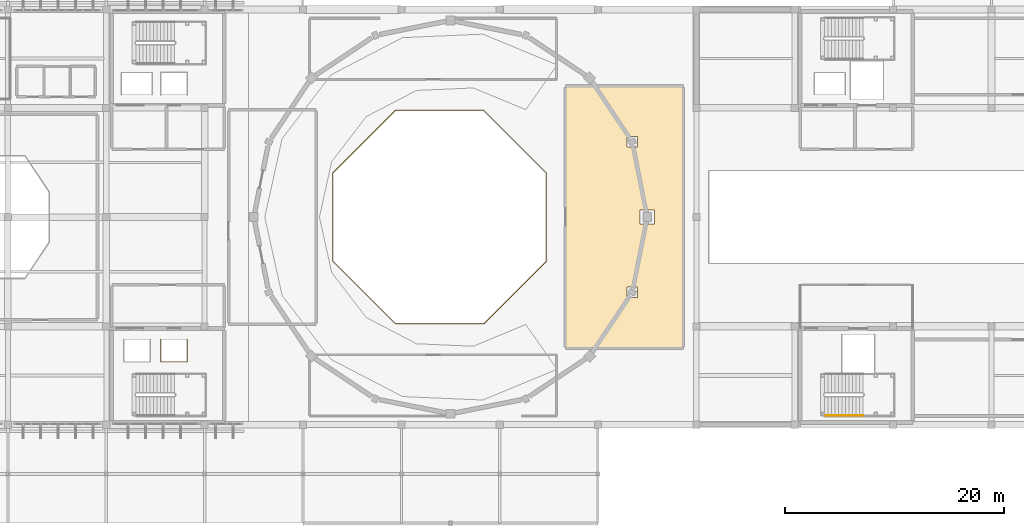
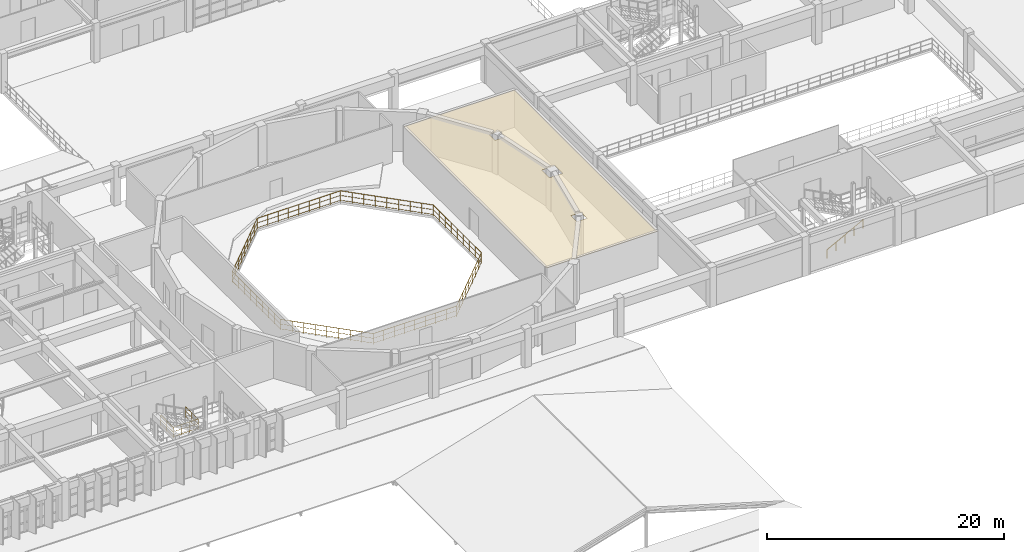
# One storey, part 76 of 80: 3 railings, 1 covering.
"""IFC4 building model written with IfcOpenShell, lengths in metres."""

from ifc_helpers import new_model, si_unit, direction, frame, origin, origin_2d, place, context, subcontext, project, spatial, polyline, circle, outline, extrude, material, layer, layer_set, type_object, element, save


model = new_model("IFC4")

# Units and contexts
model_context = context("Model", 3, precision=1e-05, world=origin(), true_north=direction((0.0, 1.0)))
body_context = subcontext(model_context, "Body", "Model", "MODEL_VIEW")
ifc_project = project(units=[si_unit("LENGTHUNIT", "METRE"), si_unit("AREAUNIT", "SQUARE_METRE"), si_unit("VOLUMEUNIT", "CUBIC_METRE"), si_unit("PLANEANGLEUNIT", "RADIAN"), si_unit("MASSUNIT", "GRAM", prefix="KILO")], contexts=[model_context])

# Site, building, storey
site_placement = place(None, origin())
site = spatial("IfcSite", under=ifc_project, at=site_placement, CompositionType="ELEMENT")
building_placement = place(site_placement, origin())
building = spatial("IfcBuilding", under=site, at=building_placement, Name="Miravela Opera House", CompositionType="ELEMENT")
storey_placement = place(building_placement, frame((0.0, 0.0, 17.679931640625)))
storey = spatial("IfcBuildingStorey", under=building, at=storey_placement, Name="L04", CompositionType="ELEMENT", Elevation=17.679931640625)

# Covering
ifc_material_1 = material(Name="Perforated hardwood acoustic reflector ceiling", Category="wood")
ifc_layer = layer(ifc_material_1, 0.031982421875)
ifc_layer_set = layer_set([ifc_layer])
covering_type = type_object("IfcCoveringType", Name="ARC-CEIL-ACOUSTIC-32", PredefinedType="CEILING", material=ifc_layer_set)
covering_placement = place(storey_placement, frame((0.0, 0.0, 3.719970703125)))
element("IfcCovering", 1, at=covering_placement, inside=storey, type_object=covering_type, Name="Opera Auditorium Amphitheatre Gallery Acoustic Ceiling", PredefinedType="CEILING", context=body_context, shape_type="SweptSolid", body=[
    extrude(outline(polyline([(87.0, 44.0), (97.800048828125, 44.0), (97.800048828125, 68.0), (87.0, 68.0), (87.0, 44.0)]), holes=[polyline([(93.854248046875, 55.354248046875), (95.145751953125, 55.354248046875), (95.145751953125, 56.645751953125), (93.854248046875, 56.645751953125), (93.854248046875, 55.354248046875)]), polyline([(92.639892578125, 62.398193359375), (93.619873046875, 62.398193359375), (93.619873046875, 63.37841796875), (92.639892578125, 63.37841796875), (92.639892578125, 62.398193359375)]), polyline([(92.639892578125, 48.62158203125), (93.619873046875, 48.62158203125), (93.619873046875, 49.601806640625), (92.639892578125, 49.601806640625), (92.639892578125, 48.62158203125)])]), origin(), (0.0, 0.0, 1.0), 0.031982421875),
])

# Railings
ifc_material_2 = material(Name="Gilded bronze auditorium tier balustrade")
railing_type_1 = type_object("IfcRailingType", Name="ARC-RAIL-BOWL-BAL", PredefinedType="BALUSTRADE", material=ifc_material_2)
railing_1_placement = place(storey_placement, frame((85.274658203125, 60.048828125, 0.0)))
element("IfcRailing", 2, at=railing_1_placement, inside=storey, type_object=railing_type_1, Name="L04 Void Perimeter Balustrade 0168", PredefinedType="BALUSTRADE", context=body_context, shape_type="SweptSolid", body=[
    extrude(circle(Radius=0.02490234375, at=origin_2d()), frame((0.0, 0.0, 1.09521484375), z_axis=(-0.707106781187, 0.707106781187, 0.0), x_axis=(-0.707106781187, -0.707106781187, 0.0)), (0.0, 0.0, 1.0), 8.09765625),
    extrude(circle(Radius=0.01611328125, at=origin_2d()), frame((0.0, 0.0, 0.615966796875), z_axis=(-0.707106781187, 0.707106781187, 0.0), x_axis=(-0.707106781187, -0.707106781187, 0.0)), (0.0, 0.0, 1.0), 8.09765625),
    extrude(circle(Radius=0.01611328125, at=origin_2d()), frame((0.0, 0.0, 0.1201171875), z_axis=(-0.707106781187, 0.707106781187, 0.0), x_axis=(-0.707106781187, -0.707106781187, 0.0)), (0.0, 0.0, 1.0), 8.09765625),
    extrude(circle(Radius=0.02490234375, at=origin_2d()), frame((-5.725830078125, 5.725830078125, 1.09521484375), z_axis=(-1.0, 0.0, 0.0), x_axis=(0.0, -1.0, 0.0)), (0.0, 0.0, 1.0), 8.09765625),
    extrude(circle(Radius=0.01611328125, at=origin_2d()), frame((-5.725830078125, 5.725830078125, 0.615966796875), z_axis=(-1.0, 0.0, 0.0), x_axis=(0.0, -1.0, 0.0)), (0.0, 0.0, 1.0), 8.09765625),
    extrude(circle(Radius=0.01611328125, at=origin_2d()), frame((-5.725830078125, 5.725830078125, 0.1201171875), z_axis=(-1.0, 0.0, 0.0), x_axis=(0.0, -1.0, 0.0)), (0.0, 0.0, 1.0), 8.09765625),
    extrude(circle(Radius=0.02490234375, at=origin_2d()), frame((-13.823486328125, 5.725830078125, 1.09521484375), z_axis=(-0.707106781187, -0.707106781187, 0.0), x_axis=(0.707106781187, -0.707106781187, 0.0)), (0.0, 0.0, 1.0), 8.09765625),
    extrude(circle(Radius=0.01611328125, at=origin_2d()), frame((-13.823486328125, 5.725830078125, 0.615966796875), z_axis=(-0.707106781187, -0.707106781187, 0.0), x_axis=(0.707106781187, -0.707106781187, 0.0)), (0.0, 0.0, 1.0), 8.09765625),
    extrude(circle(Radius=0.01611328125, at=origin_2d()), frame((-13.823486328125, 5.725830078125, 0.1201171875), z_axis=(-0.707106781187, -0.707106781187, 0.0), x_axis=(0.707106781187, -0.707106781187, 0.0)), (0.0, 0.0, 1.0), 8.09765625),
    extrude(circle(Radius=0.02490234375, at=origin_2d()), frame((-19.54931640625, 0.0, 1.09521484375), z_axis=(0.0, -1.0, 0.0), x_axis=(1.0, 0.0, 0.0)), (0.0, 0.0, 1.0), 8.09765625),
    extrude(circle(Radius=0.01611328125, at=origin_2d()), frame((-19.54931640625, 0.0, 0.615966796875), z_axis=(0.0, -1.0, 0.0), x_axis=(1.0, 0.0, 0.0)), (0.0, 0.0, 1.0), 8.09765625),
    extrude(circle(Radius=0.01611328125, at=origin_2d()), frame((-19.54931640625, 0.0, 0.1201171875), z_axis=(0.0, -1.0, 0.0), x_axis=(1.0, 0.0, 0.0)), (0.0, 0.0, 1.0), 8.09765625),
    extrude(circle(Radius=0.02490234375, at=origin_2d()), frame((-19.54931640625, -8.09765625, 1.09521484375), z_axis=(0.707106781187, -0.707106781187, 0.0), x_axis=(0.707106781187, 0.707106781187, 0.0)), (0.0, 0.0, 1.0), 8.09765625),
    extrude(circle(Radius=0.01611328125, at=origin_2d()), frame((-19.54931640625, -8.09765625, 0.615966796875), z_axis=(0.707106781187, -0.707106781187, 0.0), x_axis=(0.707106781187, 0.707106781187, 0.0)), (0.0, 0.0, 1.0), 8.09765625),
    extrude(circle(Radius=0.01611328125, at=origin_2d()), frame((-19.54931640625, -8.09765625, 0.1201171875), z_axis=(0.707106781187, -0.707106781187, 0.0), x_axis=(0.707106781187, 0.707106781187, 0.0)), (0.0, 0.0, 1.0), 8.09765625),
    extrude(circle(Radius=0.02490234375, at=origin_2d()), frame((-13.823486328125, -13.823486328125, 1.09521484375), z_axis=(1.0, 0.0, 0.0), x_axis=(0.0, 1.0, 0.0)), (0.0, 0.0, 1.0), 8.09765625),
    extrude(circle(Radius=0.01611328125, at=origin_2d()), frame((-13.823486328125, -13.823486328125, 0.615966796875), z_axis=(1.0, 0.0, 0.0), x_axis=(0.0, 1.0, 0.0)), (0.0, 0.0, 1.0), 8.09765625),
    extrude(circle(Radius=0.01611328125, at=origin_2d()), frame((-13.823486328125, -13.823486328125, 0.1201171875), z_axis=(1.0, 0.0, 0.0), x_axis=(0.0, 1.0, 0.0)), (0.0, 0.0, 1.0), 8.09765625),
    extrude(circle(Radius=0.02490234375, at=origin_2d()), frame((-5.725830078125, -13.823486328125, 1.09521484375), z_axis=(0.707106781187, 0.707106781187, 0.0), x_axis=(-0.707106781187, 0.707106781187, 0.0)), (0.0, 0.0, 1.0), 8.09765625),
    extrude(circle(Radius=0.01611328125, at=origin_2d()), frame((-5.725830078125, -13.823486328125, 0.615966796875), z_axis=(0.707106781187, 0.707106781187, 0.0), x_axis=(-0.707106781187, 0.707106781187, 0.0)), (0.0, 0.0, 1.0), 8.09765625),
    extrude(circle(Radius=0.01611328125, at=origin_2d()), frame((-5.725830078125, -13.823486328125, 0.1201171875), z_axis=(0.707106781187, 0.707106781187, 0.0), x_axis=(-0.707106781187, 0.707106781187, 0.0)), (0.0, 0.0, 1.0), 8.09765625),
    extrude(circle(Radius=0.02490234375, at=origin_2d()), frame((0.0, -8.09765625, 1.09521484375), z_axis=(0.0, 1.0, 0.0), x_axis=(-1.0, 0.0, 0.0)), (0.0, 0.0, 1.0), 8.09765625),
    extrude(circle(Radius=0.01611328125, at=origin_2d()), frame((0.0, -8.09765625, 0.615966796875), z_axis=(0.0, 1.0, 0.0), x_axis=(-1.0, 0.0, 0.0)), (0.0, 0.0, 1.0), 8.09765625),
    extrude(circle(Radius=0.01611328125, at=origin_2d()), frame((0.0, -8.09765625, 0.1201171875), z_axis=(0.0, 1.0, 0.0), x_axis=(-1.0, 0.0, 0.0)), (0.0, 0.0, 1.0), 8.09765625),
    extrude(circle(Radius=0.02099609375, at=origin_2d()), origin(), (0.0, 0.0, 1.0), 1.070068359375),
    extrude(circle(Radius=0.02099609375, at=origin_2d()), frame((-0.7158203125, 0.7158203125, 0.0)), (0.0, 0.0, 1.0), 1.070068359375),
    extrude(circle(Radius=0.02099609375, at=origin_2d()), frame((-1.431396484375, 1.431396484375, 0.0)), (0.0, 0.0, 1.0), 1.070068359375),
    extrude(circle(Radius=0.02099609375, at=origin_2d()), frame((-2.147216796875, 2.147216796875, 0.0)), (0.0, 0.0, 1.0), 1.070068359375),
    extrude(circle(Radius=0.02099609375, at=origin_2d()), frame((-2.86279296875, 2.86279296875, 0.0)), (0.0, 0.0, 1.0), 1.070068359375),
    extrude(circle(Radius=0.02099609375, at=origin_2d()), frame((-3.57861328125, 3.57861328125, 0.0)), (0.0, 0.0, 1.0), 1.070068359375),
    extrude(circle(Radius=0.02099609375, at=origin_2d()), frame((-4.29443359375, 4.29443359375, 0.0)), (0.0, 0.0, 1.0), 1.070068359375),
    extrude(circle(Radius=0.02099609375, at=origin_2d()), frame((-5.010009765625, 5.010009765625, 0.0)), (0.0, 0.0, 1.0), 1.070068359375),
    extrude(circle(Radius=0.02099609375, at=origin_2d()), frame((-5.725830078125, 5.725830078125, 0.0)), (0.0, 0.0, 1.0), 1.070068359375),
    extrude(circle(Radius=0.02099609375, at=origin_2d()), frame((-6.738037109375, 5.725830078125, 0.0)), (0.0, 0.0, 1.0), 1.070068359375),
    extrude(circle(Radius=0.02099609375, at=origin_2d()), frame((-7.750244140625, 5.725830078125, 0.0)), (0.0, 0.0, 1.0), 1.070068359375),
    extrude(circle(Radius=0.02099609375, at=origin_2d()), frame((-8.762451171875, 5.725830078125, 0.0)), (0.0, 0.0, 1.0), 1.070068359375),
    extrude(circle(Radius=0.02099609375, at=origin_2d()), frame((-9.774658203125, 5.725830078125, 0.0)), (0.0, 0.0, 1.0), 1.070068359375),
    extrude(circle(Radius=0.02099609375, at=origin_2d()), frame((-10.786865234375, 5.725830078125, 0.0)), (0.0, 0.0, 1.0), 1.070068359375),
    extrude(circle(Radius=0.02099609375, at=origin_2d()), frame((-11.799072265625, 5.725830078125, 0.0)), (0.0, 0.0, 1.0), 1.070068359375),
    extrude(circle(Radius=0.02099609375, at=origin_2d()), frame((-12.811279296875, 5.725830078125, 0.0)), (0.0, 0.0, 1.0), 1.070068359375),
    extrude(circle(Radius=0.02099609375, at=origin_2d()), frame((-13.823486328125, 5.725830078125, 0.0)), (0.0, 0.0, 1.0), 1.070068359375),
    extrude(circle(Radius=0.02099609375, at=origin_2d()), frame((-14.539306640625, 5.010009765625, 0.0)), (0.0, 0.0, 1.0), 1.070068359375),
    extrude(circle(Radius=0.02099609375, at=origin_2d()), frame((-15.2548828125, 4.29443359375, 0.0)), (0.0, 0.0, 1.0), 1.070068359375),
    extrude(circle(Radius=0.02099609375, at=origin_2d()), frame((-15.970703125, 3.57861328125, 0.0)), (0.0, 0.0, 1.0), 1.070068359375),
    extrude(circle(Radius=0.02099609375, at=origin_2d()), frame((-16.6865234375, 2.86279296875, 0.0)), (0.0, 0.0, 1.0), 1.070068359375),
    extrude(circle(Radius=0.02099609375, at=origin_2d()), frame((-17.402099609375, 2.147216796875, 0.0)), (0.0, 0.0, 1.0), 1.070068359375),
    extrude(circle(Radius=0.02099609375, at=origin_2d()), frame((-18.117919921875, 1.431396484375, 0.0)), (0.0, 0.0, 1.0), 1.070068359375),
    extrude(circle(Radius=0.02099609375, at=origin_2d()), frame((-18.83349609375, 0.7158203125, 0.0)), (0.0, 0.0, 1.0), 1.070068359375),
    extrude(circle(Radius=0.02099609375, at=origin_2d()), frame((-19.54931640625, 0.0, 0.0)), (0.0, 0.0, 1.0), 1.070068359375),
    extrude(circle(Radius=0.02099609375, at=origin_2d()), frame((-19.54931640625, -1.01220703125, 0.0)), (0.0, 0.0, 1.0), 1.070068359375),
    extrude(circle(Radius=0.02099609375, at=origin_2d()), frame((-19.54931640625, -2.0244140625, 0.0)), (0.0, 0.0, 1.0), 1.070068359375),
    extrude(circle(Radius=0.02099609375, at=origin_2d()), frame((-19.54931640625, -3.03662109375, 0.0)), (0.0, 0.0, 1.0), 1.070068359375),
    extrude(circle(Radius=0.02099609375, at=origin_2d()), frame((-19.54931640625, -4.048828125, 0.0)), (0.0, 0.0, 1.0), 1.070068359375),
    extrude(circle(Radius=0.02099609375, at=origin_2d()), frame((-19.54931640625, -5.06103515625, 0.0)), (0.0, 0.0, 1.0), 1.070068359375),
    extrude(circle(Radius=0.02099609375, at=origin_2d()), frame((-19.54931640625, -6.0732421875, 0.0)), (0.0, 0.0, 1.0), 1.070068359375),
    extrude(circle(Radius=0.02099609375, at=origin_2d()), frame((-19.54931640625, -7.08544921875, 0.0)), (0.0, 0.0, 1.0), 1.070068359375),
    extrude(circle(Radius=0.02099609375, at=origin_2d()), frame((-19.54931640625, -8.09765625, 0.0)), (0.0, 0.0, 1.0), 1.070068359375),
    extrude(circle(Radius=0.02099609375, at=origin_2d()), frame((-18.83349609375, -8.8134765625, 0.0)), (0.0, 0.0, 1.0), 1.070068359375),
    extrude(circle(Radius=0.02099609375, at=origin_2d()), frame((-18.117919921875, -9.529052734375, 0.0)), (0.0, 0.0, 1.0), 1.070068359375),
    extrude(circle(Radius=0.02099609375, at=origin_2d()), frame((-17.402099609375, -10.244873046875, 0.0)), (0.0, 0.0, 1.0), 1.070068359375),
    extrude(circle(Radius=0.02099609375, at=origin_2d()), frame((-16.6865234375, -10.96044921875, 0.0)), (0.0, 0.0, 1.0), 1.070068359375),
    extrude(circle(Radius=0.02099609375, at=origin_2d()), frame((-15.970703125, -11.67626953125, 0.0)), (0.0, 0.0, 1.0), 1.070068359375),
    extrude(circle(Radius=0.02099609375, at=origin_2d()), frame((-15.2548828125, -12.39208984375, 0.0)), (0.0, 0.0, 1.0), 1.070068359375),
    extrude(circle(Radius=0.02099609375, at=origin_2d()), frame((-14.539306640625, -13.107666015625, 0.0)), (0.0, 0.0, 1.0), 1.070068359375),
    extrude(circle(Radius=0.02099609375, at=origin_2d()), frame((-13.823486328125, -13.823486328125, 0.0)), (0.0, 0.0, 1.0), 1.070068359375),
    extrude(circle(Radius=0.02099609375, at=origin_2d()), frame((-12.811279296875, -13.823486328125, 0.0)), (0.0, 0.0, 1.0), 1.070068359375),
    extrude(circle(Radius=0.02099609375, at=origin_2d()), frame((-11.799072265625, -13.823486328125, 0.0)), (0.0, 0.0, 1.0), 1.070068359375),
    extrude(circle(Radius=0.02099609375, at=origin_2d()), frame((-10.786865234375, -13.823486328125, 0.0)), (0.0, 0.0, 1.0), 1.070068359375),
    extrude(circle(Radius=0.02099609375, at=origin_2d()), frame((-9.774658203125, -13.823486328125, 0.0)), (0.0, 0.0, 1.0), 1.070068359375),
    extrude(circle(Radius=0.02099609375, at=origin_2d()), frame((-8.762451171875, -13.823486328125, 0.0)), (0.0, 0.0, 1.0), 1.070068359375),
    extrude(circle(Radius=0.02099609375, at=origin_2d()), frame((-7.750244140625, -13.823486328125, 0.0)), (0.0, 0.0, 1.0), 1.070068359375),
    extrude(circle(Radius=0.02099609375, at=origin_2d()), frame((-6.738037109375, -13.823486328125, 0.0)), (0.0, 0.0, 1.0), 1.070068359375),
    extrude(circle(Radius=0.02099609375, at=origin_2d()), frame((-5.725830078125, -13.823486328125, 0.0)), (0.0, 0.0, 1.0), 1.070068359375),
    extrude(circle(Radius=0.02099609375, at=origin_2d()), frame((-5.010009765625, -13.107666015625, 0.0)), (0.0, 0.0, 1.0), 1.070068359375),
    extrude(circle(Radius=0.02099609375, at=origin_2d()), frame((-4.29443359375, -12.39208984375, 0.0)), (0.0, 0.0, 1.0), 1.070068359375),
    extrude(circle(Radius=0.02099609375, at=origin_2d()), frame((-3.57861328125, -11.67626953125, 0.0)), (0.0, 0.0, 1.0), 1.070068359375),
    extrude(circle(Radius=0.02099609375, at=origin_2d()), frame((-2.86279296875, -10.96044921875, 0.0)), (0.0, 0.0, 1.0), 1.070068359375),
    extrude(circle(Radius=0.02099609375, at=origin_2d()), frame((-2.147216796875, -10.244873046875, 0.0)), (0.0, 0.0, 1.0), 1.070068359375),
    extrude(circle(Radius=0.02099609375, at=origin_2d()), frame((-1.431396484375, -9.529052734375, 0.0)), (0.0, 0.0, 1.0), 1.070068359375),
    extrude(circle(Radius=0.02099609375, at=origin_2d()), frame((-0.7158203125, -8.8134765625, 0.0)), (0.0, 0.0, 1.0), 1.070068359375),
    extrude(circle(Radius=0.02099609375, at=origin_2d()), frame((0.0, -8.09765625, 0.0)), (0.0, 0.0, 1.0), 1.070068359375),
    extrude(circle(Radius=0.02099609375, at=origin_2d()), frame((0.0, -7.08544921875, 0.0)), (0.0, 0.0, 1.0), 1.070068359375),
    extrude(circle(Radius=0.02099609375, at=origin_2d()), frame((0.0, -6.0732421875, 0.0)), (0.0, 0.0, 1.0), 1.070068359375),
    extrude(circle(Radius=0.02099609375, at=origin_2d()), frame((0.0, -5.06103515625, 0.0)), (0.0, 0.0, 1.0), 1.070068359375),
    extrude(circle(Radius=0.02099609375, at=origin_2d()), frame((0.0, -4.048828125, 0.0)), (0.0, 0.0, 1.0), 1.070068359375),
    extrude(circle(Radius=0.02099609375, at=origin_2d()), frame((0.0, -3.03662109375, 0.0)), (0.0, 0.0, 1.0), 1.070068359375),
    extrude(circle(Radius=0.02099609375, at=origin_2d()), frame((0.0, -2.0244140625, 0.0)), (0.0, 0.0, 1.0), 1.070068359375),
    extrude(circle(Radius=0.02099609375, at=origin_2d()), frame((0.0, -1.01220703125, 0.0)), (0.0, 0.0, 1.0), 1.070068359375),
])
ifc_material_3 = material(Name="Brushed bronze continuous stair handrail")
railing_type_2 = type_object("IfcRailingType", Name="ARC-RAIL-HAND-900", PredefinedType="HANDRAIL", material=ifc_material_3)
railing_2_placement = place(storey_placement, frame((110.739990234375, 37.85009765625, 0.170166015625)))
element("IfcRailing", 3, at=railing_2_placement, inside=storey, type_object=railing_type_2, Name="L04 ST-04 stair handrail 1", PredefinedType="HANDRAIL", context=body_context, shape_type="SweptSolid", body=[
    extrude(circle(Radius=0.02392578125, at=origin_2d()), frame((0.0, 0.0, 0.8759765625), z_axis=(0.883129994055, 0.0, 0.469128355144), x_axis=(0.0, 1.0, 0.0)), (0.0, 0.0, 1.0), 3.98583984375),
    extrude(circle(Radius=0.02099609375, at=origin_2d()), origin(), (0.0, 0.0, 1.0), 0.851806640625),
    extrude(circle(Radius=0.02099609375, at=origin_2d()), frame((0.8798828125, 0.0, 0.467529296875)), (0.0, 0.0, 1.0), 0.851806640625),
    extrude(circle(Radius=0.02099609375, at=origin_2d()), frame((1.760009765625, 0.0, 0.93505859375)), (0.0, 0.0, 1.0), 0.851806640625),
    extrude(circle(Radius=0.02099609375, at=origin_2d()), frame((2.64013671875, 0.0, 1.40234375)), (0.0, 0.0, 1.0), 0.851806640625),
    extrude(circle(Radius=0.02099609375, at=origin_2d()), frame((3.52001953125, 0.0, 1.869873046875)), (0.0, 0.0, 1.0), 0.851806640625),
])
ifc_material_4 = material(Name="Painted wrought-iron stair guardrail")
railing_type_3 = type_object("IfcRailingType", Name="ARC-RAIL-STAIR-GUARD", PredefinedType="GUARDRAIL", material=ifc_material_4)
railing_3_placement = place(storey_placement, frame((49.989990234375, 44.840087890625, 0.0)))
element("IfcRailing", 4, at=railing_3_placement, inside=storey, type_object=railing_type_3, Name="Lift PL-03 Hoistway Slab Opening Guard (L04) 0115", PredefinedType="GUARDRAIL", context=body_context, shape_type="SweptSolid", body=[
    extrude(circle(Radius=0.02392578125, at=origin_2d()), frame((0.0, 0.0, 1.076171875), z_axis=(0.0, -1.0, 0.0), x_axis=(1.0, 0.0, 0.0)), (0.0, 0.0, 1.0), 2.0751953125),
    extrude(circle(Radius=0.01611328125, at=origin_2d()), frame((0.0, 0.0, 0.60498046875), z_axis=(0.0, -1.0, 0.0), x_axis=(1.0, 0.0, 0.0)), (0.0, 0.0, 1.0), 2.0751953125),
    extrude(circle(Radius=0.01611328125, at=origin_2d()), frame((0.0, 0.0, 0.1201171875), z_axis=(0.0, -1.0, 0.0), x_axis=(1.0, 0.0, 0.0)), (0.0, 0.0, 1.0), 2.0751953125),
    extrude(circle(Radius=0.02392578125, at=origin_2d()), frame((0.0, -2.0751953125, 1.076171875), z_axis=(1.0, 0.0, 0.0), x_axis=(0.0, 1.0, 0.0)), (0.0, 0.0, 1.0), 2.419921875),
    extrude(circle(Radius=0.01611328125, at=origin_2d()), frame((0.0, -2.0751953125, 0.60498046875), z_axis=(1.0, 0.0, 0.0), x_axis=(0.0, 1.0, 0.0)), (0.0, 0.0, 1.0), 2.419921875),
    extrude(circle(Radius=0.01611328125, at=origin_2d()), frame((0.0, -2.0751953125, 0.1201171875), z_axis=(1.0, 0.0, 0.0), x_axis=(0.0, 1.0, 0.0)), (0.0, 0.0, 1.0), 2.419921875),
    extrude(circle(Radius=0.02392578125, at=origin_2d()), frame((2.419921875, -2.0751953125, 1.076171875), z_axis=(0.0, 1.0, 0.0), x_axis=(-1.0, 0.0, 0.0)), (0.0, 0.0, 1.0), 2.0751953125),
    extrude(circle(Radius=0.01611328125, at=origin_2d()), frame((2.419921875, -2.0751953125, 0.60498046875), z_axis=(0.0, 1.0, 0.0), x_axis=(-1.0, 0.0, 0.0)), (0.0, 0.0, 1.0), 2.0751953125),
    extrude(circle(Radius=0.01611328125, at=origin_2d()), frame((2.419921875, -2.0751953125, 0.1201171875), z_axis=(0.0, 1.0, 0.0), x_axis=(-1.0, 0.0, 0.0)), (0.0, 0.0, 1.0), 2.0751953125),
    extrude(circle(Radius=0.02099609375, at=origin_2d()), origin(), (0.0, 0.0, 1.0), 1.052001953125),
    extrude(circle(Radius=0.02099609375, at=origin_2d()), frame((0.0, -1.03759765625, 0.0)), (0.0, 0.0, 1.0), 1.052001953125),
    extrude(circle(Radius=0.02099609375, at=origin_2d()), frame((0.0, -2.0751953125, 0.0)), (0.0, 0.0, 1.0), 1.052001953125),
    extrude(circle(Radius=0.02099609375, at=origin_2d()), frame((0.806640625, -2.0751953125, 0.0)), (0.0, 0.0, 1.0), 1.052001953125),
    extrude(circle(Radius=0.02099609375, at=origin_2d()), frame((1.61328125, -2.0751953125, 0.0)), (0.0, 0.0, 1.0), 1.052001953125),
    extrude(circle(Radius=0.02099609375, at=origin_2d()), frame((2.419921875, -2.0751953125, 0.0)), (0.0, 0.0, 1.0), 1.052001953125),
    extrude(circle(Radius=0.02099609375, at=origin_2d()), frame((2.419921875, -1.03759765625, 0.0)), (0.0, 0.0, 1.0), 1.052001953125),
    extrude(circle(Radius=0.02099609375, at=origin_2d()), frame((2.419921875, 0.0, 0.0)), (0.0, 0.0, 1.0), 1.052001953125),
])

save(model, "model.ifc")
